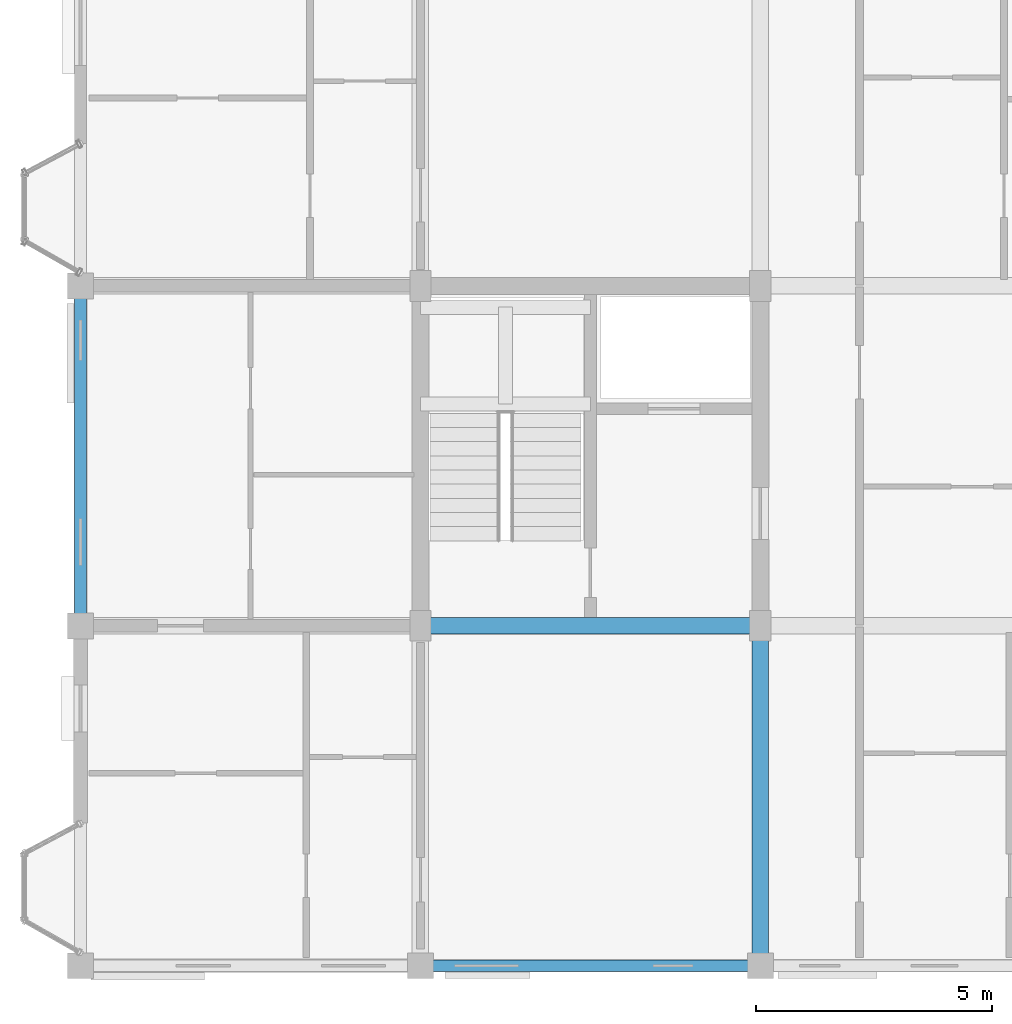
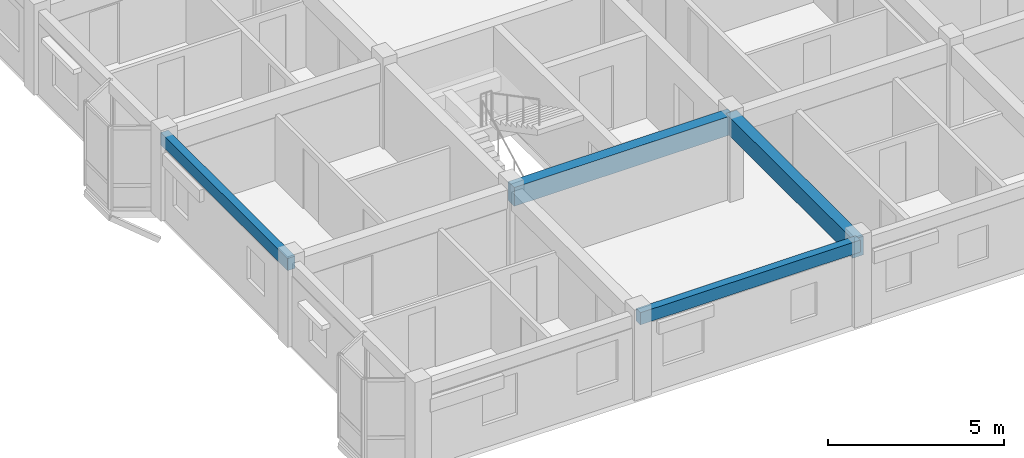
# One storey, part 3 of 77: 4 beams.
"""IFC4 building model written with IfcOpenShell, lengths in metres."""

from ifc_helpers import new_model, si_unit, direction, frame, origin, origin_2d, place, context, subcontext, project, spatial, rectangle, extrude, material, material_profile, profile_set, type_object, element, save


model = new_model("IFC4")

# Units and contexts
model_context = context("Model", 3, precision=1e-05, world=origin(), true_north=direction((0.0, 1.0)))
body_context = subcontext(model_context, "Body", "Model", "MODEL_VIEW")
ifc_project = project(units=[si_unit("LENGTHUNIT", "METRE"), si_unit("AREAUNIT", "SQUARE_METRE"), si_unit("VOLUMEUNIT", "CUBIC_METRE"), si_unit("PLANEANGLEUNIT", "RADIAN"), si_unit("MASSUNIT", "GRAM", prefix="KILO"), si_unit("THERMODYNAMICTEMPERATUREUNIT", "KELVIN"), si_unit("POWERUNIT", "WATT")], contexts=[model_context])

# Site, building, storey
site_placement = place(None, origin())
site = spatial("IfcSite", under=ifc_project, at=site_placement, CompositionType="ELEMENT")
building_placement = place(site_placement, origin())
building = spatial("IfcBuilding", under=site, at=building_placement, Name="Tavuni Mirador Residences", CompositionType="ELEMENT")
storey_placement = place(building_placement, frame((0.0, 0.0, 10.800048828125)))
storey = spatial("IfcBuildingStorey", under=building, at=storey_placement, Name="L03", CompositionType="ELEMENT", Elevation=10.800048828125)

# Beams
ifc_material = material(Name="Precast concrete C40/50", Category="concrete")
ifc_material_profile_1 = material_profile(ifc_material, rectangle(XDim=0.35009765625, YDim=0.64990234375, at=origin_2d()), Name="PC 350x650", Category="concrete")
ifc_profile_set_1 = profile_set([ifc_material_profile_1], Name="Precast concrete C40/50")
beam_type_1 = type_object("IfcBeamType", Name="BT-B650", PredefinedType="BEAM", material=ifc_profile_set_1)
for number, where, z_axis, x_axis, name in (
    (1, (10.800048828125, 14.39990234375, 2.544921875), (1.0, 0.0, 0.0), (0.0, 1.0, 0.0), "BMX-BLK-A-L03-01-01"),
    (2, (18.0, 7.199951171875, 2.544921875), (0.0, 1.0, 0.0), (-1.0, 0.0, 0.0), "BMY-BLK-A-L03-02-00"),
):
    element("IfcBeam", number, at=place(storey_placement, frame(where, z_axis=z_axis, x_axis=x_axis)), inside=storey, type_object=beam_type_1, Name=name, PredefinedType="BEAM", context=body_context, shape_type="SweptSolid", body=[
        extrude(rectangle(XDim=0.35009765625, YDim=0.64990234375, at=origin_2d()), origin(), (0.0, 0.0, 1.0), 7.199951171875),
    ])
ifc_material_profile_2 = material_profile(ifc_material, rectangle(XDim=0.25, YDim=0.419921875, at=origin_2d()), Name="PC 250x420", Category="concrete")
ifc_profile_set_2 = profile_set([ifc_material_profile_2], Name="Precast concrete C40/50")
beam_type_2 = type_object("IfcBeamType", Name="BT-SP420", PredefinedType="SPANDREL", material=ifc_profile_set_2)
beam_1_placement = place(storey_placement, frame((10.800048828125, 7.199951171875, 2.659912109375), z_axis=(1.0, 0.0, 0.0), x_axis=(0.0, 1.0, 0.0)))
element("IfcBeam", 3, at=beam_1_placement, inside=storey, type_object=beam_type_2, Name="BMX-BLK-A-L03-01-00", PredefinedType="SPANDREL", context=body_context, shape_type="SweptSolid", body=[
    extrude(rectangle(XDim=0.25, YDim=0.419921875, at=origin_2d()), origin(), (0.0, 0.0, 1.0), 7.199951171875),
])
beam_2_placement = place(storey_placement, frame((3.60009765625, 14.39990234375, 2.659912109375), z_axis=(0.0, 1.0, 0.0), x_axis=(-1.0, 0.0, 0.0)))
element("IfcBeam", 4, at=beam_2_placement, inside=storey, type_object=beam_type_2, Name="BMY-BLK-A-L03-00-01", PredefinedType="SPANDREL", context=body_context, shape_type="SweptSolid", body=[
    extrude(rectangle(XDim=0.25, YDim=0.419921875, at=origin_2d()), origin(), (0.0, 0.0, 1.0), 7.2001953125),
])

save(model, "model.ifc")
